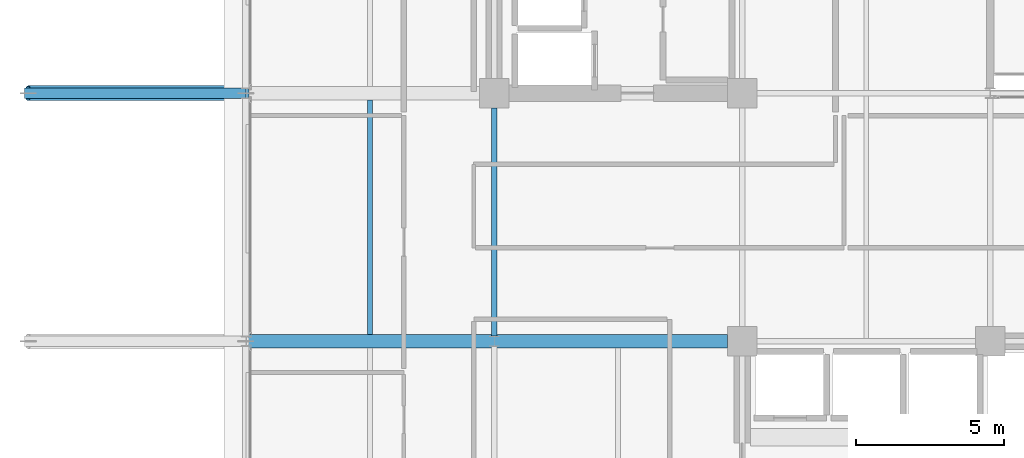
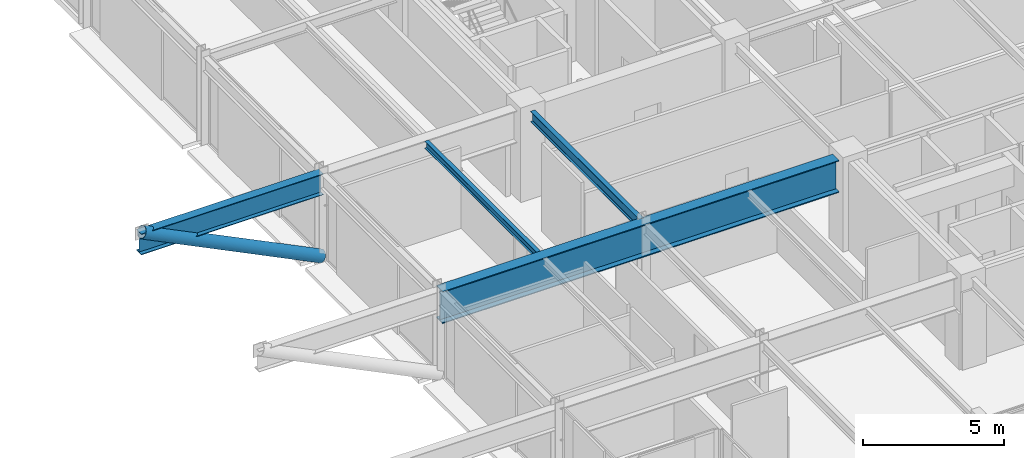
# One storey, part 9 of 30: 4 beams, 1 member.
"""IFC4 building model written with IfcOpenShell, lengths in metres."""

from ifc_helpers import new_model, si_unit, direction, frame, origin, origin_2d, place, context, subcontext, project, spatial, hollow_circle, i_section, extrude, material, material_profile, profile_set, type_object, element, save


model = new_model("IFC4")

# Units and contexts
model_context = context("Model", 3, precision=1e-05, world=origin(), true_north=direction((0.0, 1.0)))
body_context = subcontext(model_context, "Body", "Model", "MODEL_VIEW")
ifc_project = project(units=[si_unit("LENGTHUNIT", "METRE"), si_unit("AREAUNIT", "SQUARE_METRE"), si_unit("VOLUMEUNIT", "CUBIC_METRE"), si_unit("PLANEANGLEUNIT", "RADIAN"), si_unit("MASSUNIT", "GRAM", prefix="KILO")], contexts=[model_context])

# Site, building, storey
site_placement = place(None, origin())
site = spatial("IfcSite", under=ifc_project, at=site_placement, CompositionType="ELEMENT")
building_placement = place(site_placement, origin())
building = spatial("IfcBuilding", under=site, at=building_placement, Name="Nerrivon Quay Data Exchange", CompositionType="ELEMENT")
storey_placement = place(building_placement, frame((0.0, 0.0, 167.300048828125)))
storey = spatial("IfcBuildingStorey", under=building, at=storey_placement, Name="L39", CompositionType="ELEMENT", Elevation=167.300048828125)

# Beams
ifc_material_1 = material(Name="Steel Grade 350", Category="steel")
ifc_material_profile_1 = material_profile(ifc_material_1, i_section(OverallWidth=0.35009765625, OverallDepth=0.909912109375, WebThickness=0.011962890625, FlangeThickness=0.02490234375, at=origin_2d()), Name="900WB218")
ifc_profile_set_1 = profile_set([ifc_material_profile_1], Name="Steel Grade 350")
beam_type_1 = type_object("IfcBeamType", Name="BM-CANT-900WB", PredefinedType="USERDEFINED", material=ifc_profile_set_1)
beam_1_placement = place(storey_placement, frame((-0.010009765625, 25.199951171875, 3.369873046875), z_axis=(-1.0, 0.0, 0.0), x_axis=(0.0, -1.0, 0.0)))
element("IfcBeam", 1, at=beam_1_placement, inside=storey, type_object=beam_type_1, Name="L39 West Hooked Base Cantilever Girder Y=25.2", ObjectType="TRANSFER", PredefinedType="USERDEFINED", context=body_context, shape_type="SweptSolid", body=[
    extrude(i_section(OverallWidth=0.35009765625, OverallDepth=0.909912109375, WebThickness=0.011962890625, FlangeThickness=0.02490234375, at=origin_2d()), origin(), (0.0, 0.0, 1.0), 7.489990234375),
])
ifc_material_profile_2 = material_profile(ifc_material_1, i_section(OverallWidth=0.18994140625, OverallDepth=0.4541015625, WebThickness=0.008544921875, FlangeThickness=0.0126953125, FilletRadius=0.011474609375, at=origin_2d()), Name="460UB67.1")
ifc_profile_set_2 = profile_set([ifc_material_profile_2], Name="Steel Grade 350")
beam_type_2 = type_object("IfcBeamType", Name="BM-G6-460UB67", PredefinedType="BEAM", material=ifc_profile_set_2)
beam_2_placement = place(storey_placement, frame((8.39990234375, 16.97509765625, 3.597900390625), z_axis=(0.0, 1.0, 0.0), x_axis=(-1.0, 0.0, 0.0)))
element("IfcBeam", 2, at=beam_2_placement, inside=storey, type_object=beam_type_2, Name="L39 NS Girder X=8.4 (16.8..25.2)", PredefinedType="BEAM", context=body_context, shape_type="SweptSolid", body=[
    extrude(i_section(OverallWidth=0.18994140625, OverallDepth=0.4541015625, WebThickness=0.008544921875, FlangeThickness=0.0126953125, FilletRadius=0.011474609375, at=origin_2d()), origin(), (0.0, 0.0, 1.0), 7.724853515625),
])
ifc_material_profile_3 = material_profile(ifc_material_1, i_section(OverallWidth=0.166015625, OverallDepth=0.306884765625, WebThickness=0.006591796875, FlangeThickness=0.01171875, FilletRadius=0.011474609375, at=origin_2d()), Name="310UB46.2")
ifc_profile_set_3 = profile_set([ifc_material_profile_3], Name="Steel Grade 350")
beam_type_3 = type_object("IfcBeamType", Name="BM-J5-310UB46", PredefinedType="JOIST", material=ifc_profile_set_3)
beam_3_placement = place(storey_placement, frame((4.199951171875, 17.02490234375, 3.67138671875), z_axis=(0.0, 1.0, 0.0), x_axis=(-1.0, 0.0, 0.0)))
element("IfcBeam", 3, at=beam_3_placement, inside=storey, type_object=beam_type_3, Name="L39 Secondary Joist X=4.2 (16.8..25.2)", PredefinedType="JOIST", context=body_context, shape_type="SweptSolid", body=[
    extrude(i_section(OverallWidth=0.166015625, OverallDepth=0.306884765625, WebThickness=0.006591796875, FlangeThickness=0.01171875, FilletRadius=0.011474609375, at=origin_2d()), origin(), (0.0, 0.0, 1.0), 7.9501953125),
])
ifc_material_profile_4 = material_profile(ifc_material_1, i_section(OverallWidth=0.449951171875, OverallDepth=1.39990234375, WebThickness=0.02001953125, FlangeThickness=0.0400390625, at=origin_2d()), Name="1400WG455")
ifc_profile_set_4 = profile_set([ifc_material_profile_4], Name="Steel Grade 350")
beam_type_4 = type_object("IfcBeamType", Name="BM-TG1-1400WG", PredefinedType="USERDEFINED", material=ifc_profile_set_4)
beam_4_placement = place(storey_placement, frame((0.010009765625, 16.800048828125, 3.125), z_axis=(1.0, 0.0, 0.0), x_axis=(0.0, 1.0, 0.0)))
element("IfcBeam", 4, at=beam_4_placement, inside=storey, type_object=beam_type_4, Name="L39 EW Girder Y=16.8 (0.0..8.4)", ObjectType="TRANSFER", PredefinedType="USERDEFINED", context=body_context, shape_type="SweptSolid", body=[
    extrude(i_section(OverallWidth=0.449951171875, OverallDepth=1.39990234375, WebThickness=0.02001953125, FlangeThickness=0.0400390625, at=origin_2d()), origin(), (0.0, 0.0, 1.0), 16.2900390625),
])

# Member
ifc_material_2 = material(Name="Steel Grade C350L0 (350 MPa)", Category="steel")
ifc_material_profile_5 = material_profile(ifc_material_2, hollow_circle(Radius=0.25390625, WallThickness=0.02001953125, at=origin_2d()), Name="508.0x20.0CHS")
ifc_profile_set_5 = profile_set([ifc_material_profile_5], Name="Steel Grade C350L0 (350 MPa)")
member_type = type_object("IfcMemberType", Name="MEM-OB2-508CHS", PredefinedType="BRACE", material=ifc_profile_set_5)
member_placement = place(storey_placement, frame((-0.010009765625, 25.199951171875, 0.14990234375), z_axis=(-0.897327193084, 0.0, 0.441365957628), x_axis=(0.0, -1.0, 0.0)))
element("IfcMember", 5, at=member_placement, inside=storey, type_object=member_type, Name="L39 structural brace BR-L39-WHOOK-252", PredefinedType="BRACE", context=body_context, shape_type="SweptSolid", body=[
    extrude(hollow_circle(Radius=0.25390625, WallThickness=0.02001953125, at=origin_2d()), origin(), (0.0, 0.0, 1.0), 8.213134765625),
])

save(model, "model.ifc")
